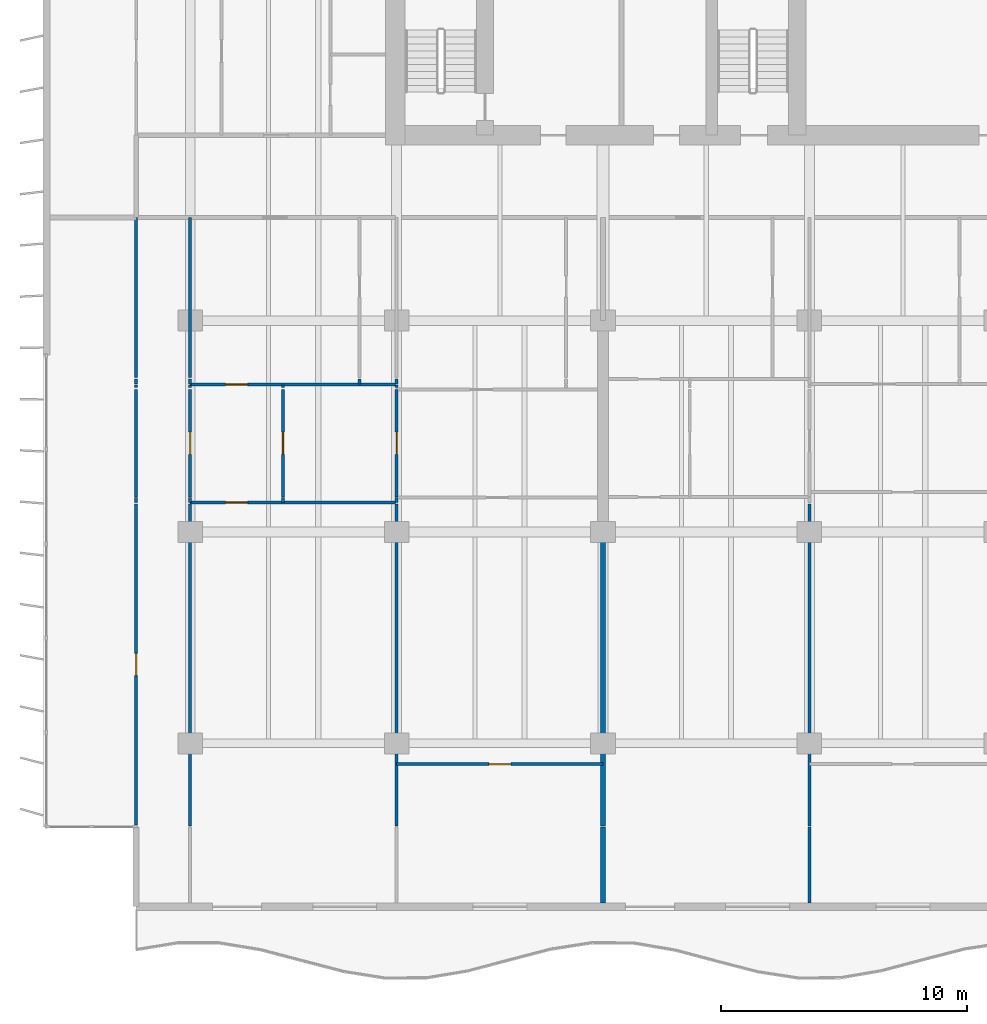
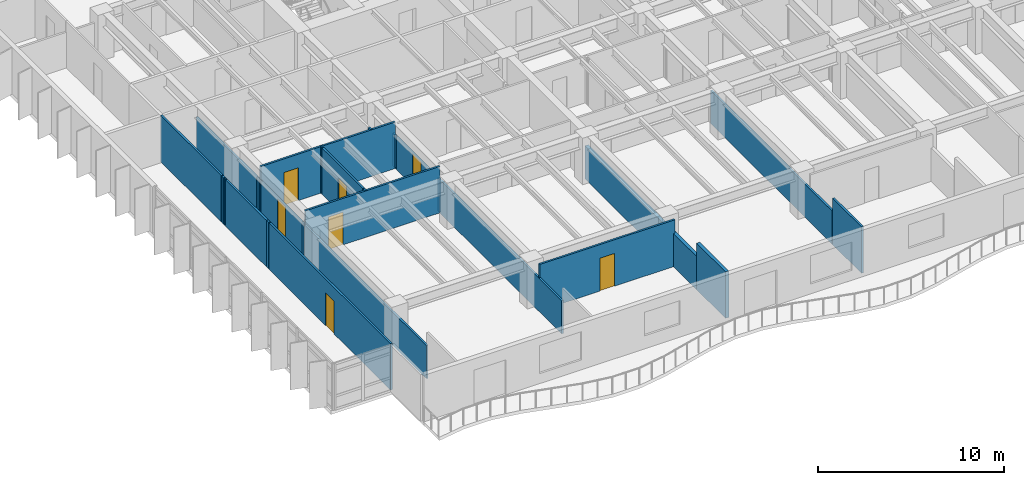
# One storey, part 6 of 19: 28 walls, 7 doors, 7 openings.
"""IFC4 building model written with IfcOpenShell, lengths in metres."""

from ifc_helpers import new_model, si_unit, direction, frame, frame_2d, origin, place, context, subcontext, project, spatial, rectangle, extrude, material, layer, layer_set, type_object, element, fill, save


model = new_model("IFC4")

# Units and contexts
model_context = context("Model", 3, precision=1e-05, world=origin(), true_north=direction((0.0, 1.0)))
body_context = subcontext(model_context, "Body", "Model", "MODEL_VIEW")
ifc_project = project(units=[si_unit("LENGTHUNIT", "METRE"), si_unit("AREAUNIT", "SQUARE_METRE"), si_unit("VOLUMEUNIT", "CUBIC_METRE"), si_unit("PLANEANGLEUNIT", "RADIAN"), si_unit("MASSUNIT", "GRAM", prefix="KILO")], contexts=[model_context])

# Site, building, storey
site_placement = place(None, origin())
site = spatial("IfcSite", under=ifc_project, at=site_placement, CompositionType="ELEMENT")
building_placement = place(site_placement, origin())
building = spatial("IfcBuilding", under=site, at=building_placement, Name="Caelmar Bay Residences", CompositionType="ELEMENT")
storey_placement = place(building_placement, frame((0.0, 0.0, 115.800048828125)))
storey = spatial("IfcBuildingStorey", under=building, at=storey_placement, Name="L31", CompositionType="ELEMENT", Elevation=115.800048828125)

# Wall, opening, door
ifc_material_1 = material(Name="Acoustic metal-stud gypsum partition 120 mm")
ifc_layer_1 = layer(ifc_material_1, 0.1201171875)
ifc_layer_set_1 = layer_set([ifc_layer_1], Name="Acoustic metal-stud gypsum partition 120 mm")
wall_type_1 = type_object("IfcWallType", Name="W-PRT-120", PredefinedType="PARTITIONING", material=ifc_layer_set_1)
wall_1_placement = place(storey_placement, frame((7.699951171875, 8.885009765625, 0.0), z_axis=(0.0, 0.0, 1.0), x_axis=(0.0, 1.0, 0.0)))
wall_1 = element("IfcWall", 1, at=wall_1_placement, inside=storey, type_object=wall_type_1, Name="L31 Partition Wall V001", PredefinedType="PARTITIONING", context=body_context, shape_type="SweptSolid", body=[
    extrude(rectangle(XDim=13.044921875, YDim=0.1201171875, at=frame_2d((6.5224609375, 0.0))), origin(), (0.0, 0.0, 1.0), 3.050048828125),
])
opening_1_placement = place(wall_1_placement, frame((6.072509765625, 0.0, 0.0)))
opening_1 = element("IfcOpeningElement", 2, at=opening_1_placement, cuts=wall_1, Name="Opening D-L31-162", PredefinedType="OPENING", context=body_context, shape_type="SweptSolid", body=[
    extrude(rectangle(XDim=0.89990234375, YDim=2.14990234375, at=frame_2d((0.449951171875, 1.074951171875))), frame((0.0, 0.070068359375, 0.0), z_axis=(0.0, -1.0, 0.0), x_axis=(1.0, 0.0, 0.0)), (0.0, 0.0, 1.0), 0.14013671875),
])
ifc_material_2 = material(Name="Solid walnut timber interior door leaf and frame", Category="wood")
ifc_layer_2 = layer(ifc_material_2, 0.050048828125)
ifc_layer_set_2 = layer_set([ifc_layer_2], Name="Solid walnut timber interior door leaf and frame")
door_type = type_object("IfcDoorType", Name="D-ROOM-900", OperationType="NOTDEFINED", PredefinedType="DOOR", material=ifc_layer_set_2)
door_1_placement = place(opening_1_placement, origin())
door_1 = element("IfcDoor", 3, at=door_1_placement, inside=storey, type_object=door_type, Name="L31 Residence 01 Penthouse West Salon Door", OperationType="SINGLE_SWING_LEFT", OverallHeight=2.14990234375, OverallWidth=0.89990234375, PredefinedType="DOOR", context=body_context, shape_type="SweptSolid", body=[
    extrude(rectangle(XDim=0.89990234375, YDim=2.14990234375, at=frame_2d((0.449951171875, 1.074951171875))), frame((0.0, 0.02490234375, 0.0), z_axis=(0.0, -1.0, 0.0), x_axis=(1.0, 0.0, 0.0)), (0.0, 0.0, 1.0), 0.050048828125),
])
fill(opening_1, door_1)

# Walls
wall_2_placement = place(storey_placement, frame((7.699951171875, 22.0, 0.0), z_axis=(0.0, 0.0, 1.0), x_axis=(0.0, 1.0, 0.0)))
element("IfcWall", 4, at=wall_2_placement, inside=storey, type_object=wall_type_1, Name="L31 Partition Wall V002", PredefinedType="PARTITIONING", context=body_context, shape_type="SweptSolid", body=[
    extrude(rectangle(XDim=0.199951171875, YDim=0.1201171875, at=frame_2d((0.10009765625, 0.0))), origin(), (0.0, 0.0, 1.0), 3.050048828125),
])
wall_3_placement = place(storey_placement, frame((7.699951171875, 22.219970703125, 0.0), z_axis=(0.0, 0.0, 1.0), x_axis=(0.0, 1.0, 0.0)))
element("IfcWall", 5, at=wall_3_placement, inside=storey, type_object=wall_type_1, Name="L31 Partition Wall V003", PredefinedType="PARTITIONING", context=body_context, shape_type="SweptSolid", body=[
    extrude(rectangle(XDim=4.380126953125, YDim=0.1201171875, at=frame_2d((2.18994140625, 0.0))), origin(), (0.0, 0.0, 1.0), 3.050048828125),
])
wall_4_placement = place(storey_placement, frame((7.699951171875, 26.679931640625, 0.0), z_axis=(0.0, 0.0, 1.0), x_axis=(0.0, 1.0, 0.0)))
element("IfcWall", 6, at=wall_4_placement, inside=storey, type_object=wall_type_1, Name="L31 Partition Wall V004", PredefinedType="PARTITIONING", context=body_context, shape_type="SweptSolid", body=[
    extrude(rectangle(XDim=0.10009765625, YDim=0.1201171875, at=frame_2d((0.050048828125, 0.0))), origin(), (0.0, 0.0, 1.0), 3.050048828125),
])
wall_5_placement = place(storey_placement, frame((7.699951171875, 26.820068359375, 0.0), z_axis=(0.0, 0.0, 1.0), x_axis=(0.0, 1.0, 0.0)))
element("IfcWall", 7, at=wall_5_placement, inside=storey, type_object=wall_type_1, Name="L31 Partition Wall V005", PredefinedType="PARTITIONING", context=body_context, shape_type="SweptSolid", body=[
    extrude(rectangle(XDim=0.199951171875, YDim=0.1201171875, at=frame_2d((0.10009765625, 0.0))), origin(), (0.0, 0.0, 1.0), 3.050048828125),
])
wall_6_placement = place(storey_placement, frame((7.699951171875, 27.080078125, 0.0), z_axis=(0.0, 0.0, 1.0), x_axis=(0.0, 1.0, 0.0)))
element("IfcWall", 8, at=wall_6_placement, inside=storey, type_object=wall_type_1, Name="L31 Partition Wall V006", PredefinedType="PARTITIONING", context=body_context, shape_type="SweptSolid", body=[
    extrude(rectangle(XDim=6.52001953125, YDim=0.1201171875, at=frame_2d((3.260009765625, 0.0))), origin(), (0.0, 0.0, 1.0), 3.050048828125),
])
wall_7_placement = place(storey_placement, frame((9.89990234375, 8.840087890625, 0.0), z_axis=(0.0, 0.0, 1.0), x_axis=(0.0, 1.0, 0.0)))
element("IfcWall", 9, at=wall_7_placement, inside=storey, type_object=wall_type_1, Name="L31 Partition Wall V011", PredefinedType="PARTITIONING", context=body_context, shape_type="SweptSolid", body=[
    extrude(rectangle(XDim=13.08984375, YDim=0.1201171875, at=frame_2d((6.544921875, 0.0))), origin(), (0.0, 0.0, 1.0), 2.174072265625),
])
wall_8_placement = place(storey_placement, frame((9.89990234375, 22.0, 0.0), z_axis=(0.0, 0.0, 1.0), x_axis=(0.0, 1.0, 0.0)))
element("IfcWall", 10, at=wall_8_placement, inside=storey, type_object=wall_type_1, Name="L31 Partition Wall V012", PredefinedType="PARTITIONING", context=body_context, shape_type="SweptSolid", body=[
    extrude(rectangle(XDim=0.199951171875, YDim=0.1201171875, at=frame_2d((0.10009765625, 0.0))), origin(), (0.0, 0.0, 1.0), 2.174072265625),
])

# Wall, opening, door
wall_9_placement = place(storey_placement, frame((9.89990234375, 22.219970703125, 0.0), z_axis=(0.0, 0.0, 1.0), x_axis=(0.0, 1.0, 0.0)))
wall_9 = element("IfcWall", 11, at=wall_9_placement, inside=storey, type_object=wall_type_1, Name="L31 Partition Wall V013", PredefinedType="PARTITIONING", context=body_context, shape_type="SweptSolid", body=[
    extrude(rectangle(XDim=4.380126953125, YDim=0.1201171875, at=frame_2d((2.18994140625, 0.0))), origin(), (0.0, 0.0, 1.0), 2.174072265625),
])
opening_2_placement = place(wall_9_placement, frame((1.739990234375, 0.0, 0.0)))
opening_2 = element("IfcOpeningElement", 12, at=opening_2_placement, cuts=wall_9, Name="Opening D-L31-129", PredefinedType="OPENING", context=body_context, shape_type="SweptSolid", body=[
    extrude(rectangle(XDim=0.89990234375, YDim=2.1240234375, at=frame_2d((0.449951171875, 1.06201171875))), frame((0.0, 0.070068359375, 0.0), z_axis=(0.0, -1.0, 0.0), x_axis=(1.0, 0.0, 0.0)), (0.0, 0.0, 1.0), 0.14013671875),
])
door_2_placement = place(opening_2_placement, origin())
door_2 = element("IfcDoor", 13, at=door_2_placement, inside=storey, type_object=door_type, Name="L31 Residence 01 West Apartment Hall Door", OperationType="SINGLE_SWING_RIGHT", OverallHeight=2.1240234375, OverallWidth=0.89990234375, PredefinedType="DOOR", context=body_context, shape_type="SweptSolid", body=[
    extrude(rectangle(XDim=0.89990234375, YDim=2.1240234375, at=frame_2d((0.449951171875, 1.06201171875))), frame((0.0, 0.02490234375, 0.0), z_axis=(0.0, -1.0, 0.0), x_axis=(1.0, 0.0, 0.0)), (0.0, 0.0, 1.0), 0.050048828125),
])
fill(opening_2, door_2)

# Walls
wall_10_placement = place(storey_placement, frame((9.89990234375, 26.679931640625, 0.0), z_axis=(0.0, 0.0, 1.0), x_axis=(0.0, 1.0, 0.0)))
element("IfcWall", 14, at=wall_10_placement, inside=storey, type_object=wall_type_1, Name="L31 Partition Wall V014", PredefinedType="PARTITIONING", context=body_context, shape_type="SweptSolid", body=[
    extrude(rectangle(XDim=0.10009765625, YDim=0.1201171875, at=frame_2d((0.050048828125, 0.0))), origin(), (0.0, 0.0, 1.0), 2.174072265625),
])
wall_11_placement = place(storey_placement, frame((9.89990234375, 26.820068359375, 0.0), z_axis=(0.0, 0.0, 1.0), x_axis=(0.0, 1.0, 0.0)))
element("IfcWall", 15, at=wall_11_placement, inside=storey, type_object=wall_type_1, Name="L31 Partition Wall V015", PredefinedType="PARTITIONING", context=body_context, shape_type="SweptSolid", body=[
    extrude(rectangle(XDim=0.199951171875, YDim=0.1201171875, at=frame_2d((0.10009765625, 0.0))), origin(), (0.0, 0.0, 1.0), 2.174072265625),
])
wall_12_placement = place(storey_placement, frame((9.89990234375, 27.080078125, 0.0), z_axis=(0.0, 0.0, 1.0), x_axis=(0.0, 1.0, 0.0)))
element("IfcWall", 16, at=wall_12_placement, inside=storey, type_object=wall_type_1, Name="L31 Partition Wall V016", PredefinedType="PARTITIONING", context=body_context, shape_type="SweptSolid", body=[
    extrude(rectangle(XDim=6.52001953125, YDim=0.1201171875, at=frame_2d((3.260009765625, 0.0))), origin(), (0.0, 0.0, 1.0), 2.174072265625),
])
wall_13_placement = place(storey_placement, frame((13.679931640625, 22.0, 0.0), z_axis=(0.0, 0.0, 1.0), x_axis=(0.0, 1.0, 0.0)))
element("IfcWall", 17, at=wall_13_placement, inside=storey, type_object=wall_type_1, Name="L31 Partition Wall V018", PredefinedType="PARTITIONING", context=body_context, shape_type="SweptSolid", body=[
    extrude(rectangle(XDim=0.199951171875, YDim=0.1201171875, at=frame_2d((0.10009765625, 0.0))), origin(), (0.0, 0.0, 1.0), 3.050048828125),
])

# Wall, opening, door
wall_14_placement = place(storey_placement, frame((13.679931640625, 22.219970703125, 0.0), z_axis=(0.0, 0.0, 1.0), x_axis=(0.0, 1.0, 0.0)))
wall_14 = element("IfcWall", 18, at=wall_14_placement, inside=storey, type_object=wall_type_1, Name="L31 Partition Wall V019", PredefinedType="PARTITIONING", context=body_context, shape_type="SweptSolid", body=[
    extrude(rectangle(XDim=4.380126953125, YDim=0.1201171875, at=frame_2d((2.18994140625, 0.0))), origin(), (0.0, 0.0, 1.0), 3.050048828125),
])
opening_3_placement = place(wall_14_placement, frame((1.739990234375, 0.0, 0.0)))
opening_3 = element("IfcOpeningElement", 19, at=opening_3_placement, cuts=wall_14, Name="Opening D-L31-122", PredefinedType="OPENING", context=body_context, shape_type="SweptSolid", body=[
    extrude(rectangle(XDim=0.89990234375, YDim=2.14990234375, at=frame_2d((0.449951171875, 1.074951171875))), frame((0.0, 0.070068359375, 0.0), z_axis=(0.0, -1.0, 0.0), x_axis=(1.0, 0.0, 0.0)), (0.0, 0.0, 1.0), 0.14013671875),
])
door_3_placement = place(opening_3_placement, origin())
door_3 = element("IfcDoor", 20, at=door_3_placement, inside=storey, type_object=door_type, Name="L31 Residence 01 Kitchen Door", OperationType="SINGLE_SWING_LEFT", OverallHeight=2.14990234375, OverallWidth=0.89990234375, PredefinedType="DOOR", context=body_context, shape_type="SweptSolid", body=[
    extrude(rectangle(XDim=0.89990234375, YDim=2.14990234375, at=frame_2d((0.449951171875, 1.074951171875))), frame((0.0, 0.02490234375, 0.0), z_axis=(0.0, -1.0, 0.0), x_axis=(1.0, 0.0, 0.0)), (0.0, 0.0, 1.0), 0.050048828125),
])
fill(opening_3, door_3)

# Walls
wall_15_placement = place(storey_placement, frame((13.679931640625, 26.679931640625, 0.0), z_axis=(0.0, 0.0, 1.0), x_axis=(0.0, 1.0, 0.0)))
element("IfcWall", 21, at=wall_15_placement, inside=storey, type_object=wall_type_1, Name="L31 Partition Wall V020", PredefinedType="PARTITIONING", context=body_context, shape_type="SweptSolid", body=[
    extrude(rectangle(XDim=0.10009765625, YDim=0.1201171875, at=frame_2d((0.050048828125, 0.0))), origin(), (0.0, 0.0, 1.0), 3.050048828125),
])
wall_16_placement = place(storey_placement, frame((16.784912109375, 26.820068359375, 0.0), z_axis=(0.0, 0.0, 1.0), x_axis=(0.0, 1.0, 0.0)))
element("IfcWall", 22, at=wall_16_placement, inside=storey, type_object=wall_type_1, Name="L31 Partition Wall V022", PredefinedType="PARTITIONING", context=body_context, shape_type="SweptSolid", body=[
    extrude(rectangle(XDim=0.199951171875, YDim=0.1201171875, at=frame_2d((0.10009765625, 0.0))), origin(), (0.0, 0.0, 1.0), 3.050048828125),
])
wall_17_placement = place(storey_placement, frame((18.300048828125, 8.840087890625, 0.0), z_axis=(0.0, 0.0, 1.0), x_axis=(0.0, 1.0, 0.0)))
element("IfcWall", 23, at=wall_17_placement, inside=storey, type_object=wall_type_1, Name="L31 Partition Wall V025", PredefinedType="PARTITIONING", context=body_context, shape_type="SweptSolid", body=[
    extrude(rectangle(XDim=13.08984375, YDim=0.1201171875, at=frame_2d((6.544921875, 0.0))), origin(), (0.0, 0.0, 1.0), 2.174072265625),
])
wall_18_placement = place(storey_placement, frame((18.300048828125, 22.0, 0.0), z_axis=(0.0, 0.0, 1.0), x_axis=(0.0, 1.0, 0.0)))
element("IfcWall", 24, at=wall_18_placement, inside=storey, type_object=wall_type_1, Name="L31 Partition Wall V026", PredefinedType="PARTITIONING", context=body_context, shape_type="SweptSolid", body=[
    extrude(rectangle(XDim=0.199951171875, YDim=0.1201171875, at=frame_2d((0.10009765625, 0.0))), origin(), (0.0, 0.0, 1.0), 2.174072265625),
])

# Wall, opening, door
wall_19_placement = place(storey_placement, frame((18.300048828125, 22.219970703125, 0.0), z_axis=(0.0, 0.0, 1.0), x_axis=(0.0, 1.0, 0.0)))
wall_19 = element("IfcWall", 25, at=wall_19_placement, inside=storey, type_object=wall_type_1, Name="L31 Partition Wall V027", PredefinedType="PARTITIONING", context=body_context, shape_type="SweptSolid", body=[
    extrude(rectangle(XDim=4.380126953125, YDim=0.1201171875, at=frame_2d((2.18994140625, 0.0))), origin(), (0.0, 0.0, 1.0), 2.174072265625),
])
opening_4_placement = place(wall_19_placement, frame((1.739990234375, 0.0, 0.0)))
opening_4 = element("IfcOpeningElement", 26, at=opening_4_placement, cuts=wall_19, Name="Opening D-L31-124", PredefinedType="OPENING", context=body_context, shape_type="SweptSolid", body=[
    extrude(rectangle(XDim=0.89990234375, YDim=2.1240234375, at=frame_2d((0.449951171875, 1.06201171875))), frame((0.0, 0.070068359375, 0.0), z_axis=(0.0, -1.0, 0.0), x_axis=(1.0, 0.0, 0.0)), (0.0, 0.0, 1.0), 0.14013671875),
])
door_4_placement = place(opening_4_placement, origin())
door_4 = element("IfcDoor", 27, at=door_4_placement, inside=storey, type_object=door_type, Name="L31 Residence 01 Conference Study 1 Door", OperationType="SINGLE_SWING_LEFT", OverallHeight=2.1240234375, OverallWidth=0.89990234375, PredefinedType="DOOR", context=body_context, shape_type="SweptSolid", body=[
    extrude(rectangle(XDim=0.89990234375, YDim=2.1240234375, at=frame_2d((0.449951171875, 1.06201171875))), frame((0.0, 0.02490234375, 0.0), z_axis=(0.0, -1.0, 0.0), x_axis=(1.0, 0.0, 0.0)), (0.0, 0.0, 1.0), 0.050048828125),
])
fill(opening_4, door_4)

# Walls
wall_20_placement = place(storey_placement, frame((18.300048828125, 26.679931640625, 0.0), z_axis=(0.0, 0.0, 1.0), x_axis=(0.0, 1.0, 0.0)))
element("IfcWall", 28, at=wall_20_placement, inside=storey, type_object=wall_type_1, Name="L31 Partition Wall V028", PredefinedType="PARTITIONING", context=body_context, shape_type="SweptSolid", body=[
    extrude(rectangle(XDim=0.10009765625, YDim=0.1201171875, at=frame_2d((0.050048828125, 0.0))), origin(), (0.0, 0.0, 1.0), 2.174072265625),
])
wall_21_placement = place(storey_placement, frame((18.300048828125, 26.820068359375, 0.0), z_axis=(0.0, 0.0, 1.0), x_axis=(0.0, 1.0, 0.0)))
element("IfcWall", 29, at=wall_21_placement, inside=storey, type_object=wall_type_1, Name="L31 Partition Wall V029", PredefinedType="PARTITIONING", context=body_context, shape_type="SweptSolid", body=[
    extrude(rectangle(XDim=0.199951171875, YDim=0.1201171875, at=frame_2d((0.10009765625, 0.0))), origin(), (0.0, 0.0, 1.0), 2.174072265625),
])
wall_22_placement = place(storey_placement, frame((35.10009765625, 5.695068359375, 0.0), z_axis=(0.0, 0.0, 1.0), x_axis=(0.0, 1.0, 0.0)))
element("IfcWall", 30, at=wall_22_placement, inside=storey, type_object=wall_type_1, Name="L31 Partition Wall V045", PredefinedType="PARTITIONING", context=body_context, shape_type="SweptSolid", body=[
    extrude(rectangle(XDim=3.10498046875, YDim=0.1201171875, at=frame_2d((1.552490234375, 0.0))), origin(), (0.0, 0.0, 1.0), 3.050048828125),
])
wall_23_placement = place(storey_placement, frame((35.10009765625, 8.840087890625, 0.0), z_axis=(0.0, 0.0, 1.0), x_axis=(0.0, 1.0, 0.0)))
element("IfcWall", 31, at=wall_23_placement, inside=storey, type_object=wall_type_1, Name="L31 Partition Wall V046", PredefinedType="PARTITIONING", context=body_context, shape_type="SweptSolid", body=[
    extrude(rectangle(XDim=13.08984375, YDim=0.1201171875, at=frame_2d((6.544921875, 0.0))), origin(), (0.0, 0.0, 1.0), 2.174072265625),
])

# Wall, opening, door
wall_24_placement = place(storey_placement, frame((18.300048828125, 11.35009765625, 0.0), z_axis=(0.0, 0.0, 1.0), x_axis=(1.0, 0.0, 0.0)))
wall_24 = element("IfcWall", 32, at=wall_24_placement, inside=storey, type_object=wall_type_1, Name="L31 Partition Wall H120", PredefinedType="PARTITIONING", context=body_context, shape_type="SweptSolid", body=[
    extrude(rectangle(XDim=8.39990234375, YDim=0.1201171875, at=frame_2d((4.199951171875, 0.0))), origin(), (0.0, 0.0, 1.0), 3.050048828125),
])
opening_5_placement = place(wall_24_placement, frame((3.75, 0.0, 0.0)))
opening_5 = element("IfcOpeningElement", 33, at=opening_5_placement, cuts=wall_24, Name="Opening D-L31-128", PredefinedType="OPENING", context=body_context, shape_type="SweptSolid", body=[
    extrude(rectangle(XDim=0.89990234375, YDim=2.14990234375, at=frame_2d((0.449951171875, 1.074951171875))), frame((0.0, 0.070068359375, 0.0), z_axis=(0.0, -1.0, 0.0), x_axis=(1.0, 0.0, 0.0)), (0.0, 0.0, 1.0), 0.14013671875),
])
door_5_placement = place(opening_5_placement, origin())
door_5 = element("IfcDoor", 34, at=door_5_placement, inside=storey, type_object=door_type, Name="L31 Residence 01 Primary Bedroom 1 Door", OperationType="SINGLE_SWING_LEFT", OverallHeight=2.14990234375, OverallWidth=0.89990234375, PredefinedType="DOOR", context=body_context, shape_type="SweptSolid", body=[
    extrude(rectangle(XDim=0.89990234375, YDim=2.14990234375, at=frame_2d((0.449951171875, 1.074951171875))), frame((0.0, 0.02490234375, 0.0), z_axis=(0.0, -1.0, 0.0), x_axis=(1.0, 0.0, 0.0)), (0.0, 0.0, 1.0), 0.050048828125),
])
fill(opening_5, door_5)

wall_25_placement = place(storey_placement, frame((9.89990234375, 22.0, 0.0), z_axis=(0.0, 0.0, 1.0), x_axis=(1.0, 0.0, 0.0)))
wall_25 = element("IfcWall", 35, at=wall_25_placement, inside=storey, type_object=wall_type_1, Name="L31 Partition Wall H128", PredefinedType="PARTITIONING", context=body_context, shape_type="SweptSolid", body=[
    extrude(rectangle(XDim=8.35009765625, YDim=0.1201171875, at=frame_2d((4.175048828125, 0.0))), origin(), (0.0, 0.0, 1.0), 3.050048828125),
])
opening_6_placement = place(wall_25_placement, frame((1.43994140625, 0.0, 0.0)))
opening_6 = element("IfcOpeningElement", 36, at=opening_6_placement, cuts=wall_25, Name="Opening D-L31-123", PredefinedType="OPENING", context=body_context, shape_type="SweptSolid", body=[
    extrude(rectangle(XDim=0.89990234375, YDim=2.14990234375, at=frame_2d((0.449951171875, 1.074951171875))), frame((0.0, 0.070068359375, 0.0), z_axis=(0.0, -1.0, 0.0), x_axis=(1.0, 0.0, 0.0)), (0.0, 0.0, 1.0), 0.14013671875),
])
door_6_placement = place(opening_6_placement, origin())
door_6 = element("IfcDoor", 37, at=door_6_placement, inside=storey, type_object=door_type, Name="L31 Residence 01 Penthouse Living Salon Door", OperationType="SINGLE_SWING_RIGHT", OverallHeight=2.14990234375, OverallWidth=0.89990234375, PredefinedType="DOOR", context=body_context, shape_type="SweptSolid", body=[
    extrude(rectangle(XDim=0.89990234375, YDim=2.14990234375, at=frame_2d((0.449951171875, 1.074951171875))), frame((0.0, 0.02490234375, 0.0), z_axis=(0.0, -1.0, 0.0), x_axis=(1.0, 0.0, 0.0)), (0.0, 0.0, 1.0), 0.050048828125),
])
fill(opening_6, door_6)

wall_26_placement = place(storey_placement, frame((9.89990234375, 26.800048828125, 0.0), z_axis=(0.0, 0.0, 1.0), x_axis=(1.0, 0.0, 0.0)))
wall_26 = element("IfcWall", 38, at=wall_26_placement, inside=storey, type_object=wall_type_1, Name="L31 Partition Wall H135", PredefinedType="PARTITIONING", context=body_context, shape_type="SweptSolid", body=[
    extrude(rectangle(XDim=8.35009765625, YDim=0.1201171875, at=frame_2d((4.175048828125, 0.0))), origin(), (0.0, 0.0, 1.0), 3.050048828125),
])
opening_7_placement = place(wall_26_placement, frame((1.43994140625, 0.0, 0.0)))
opening_7 = element("IfcOpeningElement", 39, at=opening_7_placement, cuts=wall_26, Name="Opening D-L31-121", PredefinedType="OPENING", context=body_context, shape_type="SweptSolid", body=[
    extrude(rectangle(XDim=0.89990234375, YDim=2.14990234375, at=frame_2d((0.449951171875, 1.074951171875))), frame((0.0, 0.070068359375, 0.0), z_axis=(0.0, -1.0, 0.0), x_axis=(1.0, 0.0, 0.0)), (0.0, 0.0, 1.0), 0.14013671875),
])
door_7_placement = place(opening_7_placement, origin())
door_7 = element("IfcDoor", 40, at=door_7_placement, inside=storey, type_object=door_type, Name="L31 Residence 01 Dining Room Door", OperationType="SINGLE_SWING_RIGHT", OverallHeight=2.14990234375, OverallWidth=0.89990234375, PredefinedType="DOOR", context=body_context, shape_type="SweptSolid", body=[
    extrude(rectangle(XDim=0.89990234375, YDim=2.14990234375, at=frame_2d((0.449951171875, 1.074951171875))), frame((0.0, 0.02490234375, 0.0), z_axis=(0.0, -1.0, 0.0), x_axis=(1.0, 0.0, 0.0)), (0.0, 0.0, 1.0), 0.050048828125),
])
fill(opening_7, door_7)

# Walls
ifc_material_3 = material(Name="Acoustic twin-stud fire-rated inter-tenancy partition 200 mm")
ifc_layer_3 = layer(ifc_material_3, 0.199951171875)
ifc_layer_set_3 = layer_set([ifc_layer_3], Name="Acoustic twin-stud fire-rated inter-tenancy partition 200 mm")
wall_type_2 = type_object("IfcWallType", Name="W-PTY-200", PredefinedType="PARTITIONING", material=ifc_layer_set_3)
wall_27_placement = place(storey_placement, frame((26.699951171875, 5.695068359375, 0.0), z_axis=(0.0, 0.0, 1.0), x_axis=(0.0, 1.0, 0.0)))
element("IfcWall", 41, at=wall_27_placement, inside=storey, type_object=wall_type_2, Name="L31 Partition Wall V036", PredefinedType="PARTITIONING", context=body_context, shape_type="SweptSolid", body=[
    extrude(rectangle(XDim=3.10498046875, YDim=0.199951171875, at=frame_2d((1.552490234375, 0.0))), origin(), (0.0, 0.0, 1.0), 3.050048828125),
])
wall_28_placement = place(storey_placement, frame((26.699951171875, 8.840087890625, 0.0), z_axis=(0.0, 0.0, 1.0), x_axis=(0.0, 1.0, 0.0)))
element("IfcWall", 42, at=wall_28_placement, inside=storey, type_object=wall_type_2, Name="L31 Partition Wall V037", PredefinedType="PARTITIONING", context=body_context, shape_type="SweptSolid", body=[
    extrude(rectangle(XDim=11.954833984375, YDim=0.199951171875, at=frame_2d((5.9775390625, 0.0))), origin(), (0.0, 0.0, 1.0), 2.174072265625),
])

save(model, "model.ifc")
